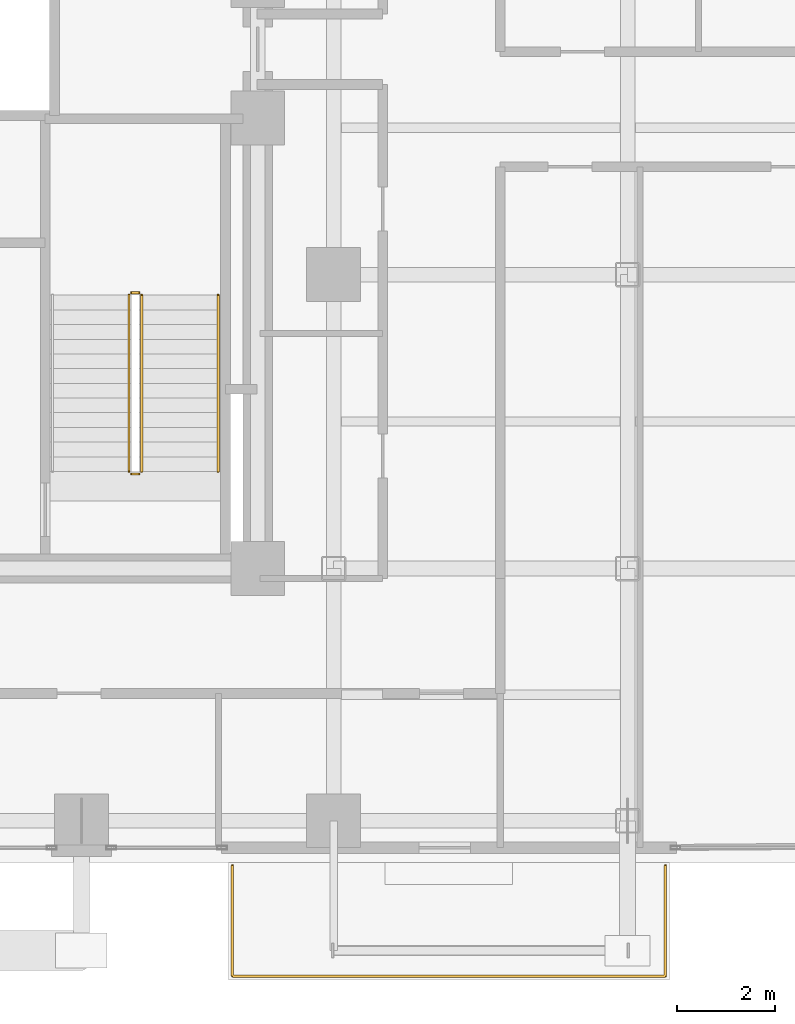
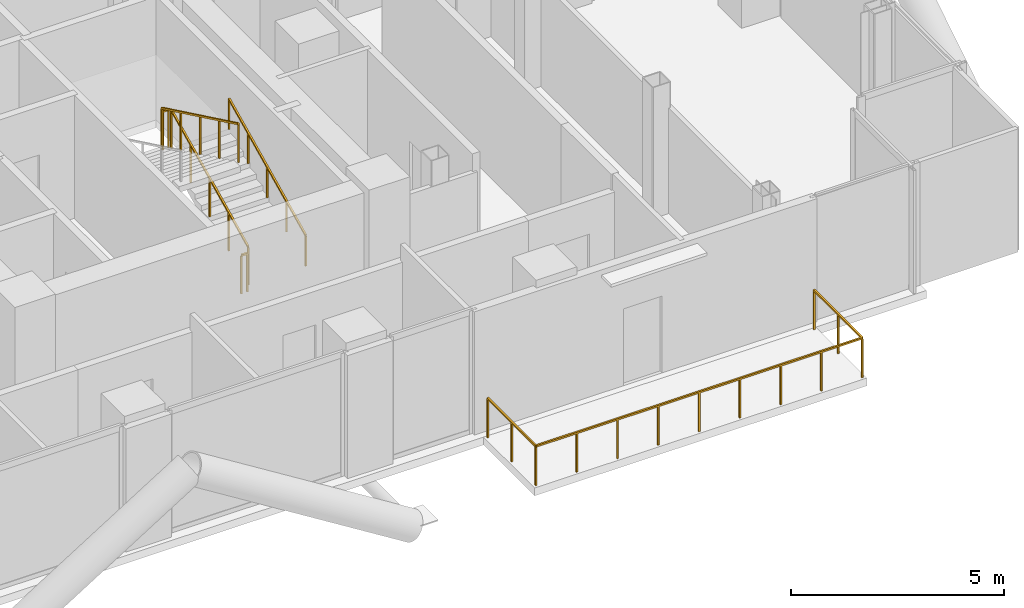
# One storey, part 27 of 28: 6 railings.
"""IFC4 building model written with IfcOpenShell, lengths in metres."""

from ifc_helpers import new_model, si_unit, direction, frame, origin, origin_2d, place, context, subcontext, project, spatial, rectangle, extrude, material, type_object, element, save


model = new_model("IFC4")

# Units and contexts
model_context = context("Model", 3, precision=1e-05, world=origin(), true_north=direction((0.0, 1.0)))
body_context = subcontext(model_context, "Body", "Model", "MODEL_VIEW")
ifc_project = project(units=[si_unit("LENGTHUNIT", "METRE"), si_unit("AREAUNIT", "SQUARE_METRE"), si_unit("VOLUMEUNIT", "CUBIC_METRE"), si_unit("PLANEANGLEUNIT", "RADIAN"), si_unit("MASSUNIT", "GRAM", prefix="KILO"), si_unit("THERMODYNAMICTEMPERATUREUNIT", "KELVIN"), si_unit("POWERUNIT", "WATT")], contexts=[model_context])

# Site, building, storey
site_placement = place(None, origin())
site = spatial("IfcSite", under=ifc_project, at=site_placement, CompositionType="ELEMENT")
building_placement = place(site_placement, origin())
building = spatial("IfcBuilding", under=site, at=building_placement, Name="Svarakhadi Broadcast Tower", CompositionType="ELEMENT")
storey_placement = place(building_placement, frame((0.0, 0.0, 149.39990234375)))
storey = spatial("IfcBuildingStorey", under=building, at=storey_placement, Name="L36", CompositionType="ELEMENT", Elevation=149.39990234375)

# Railings
ifc_material_1 = material(Name="Laminated Structural SentryGlas Balustrade 25.5 mm", Category="glass")
railing_type_1 = type_object("IfcRailingType", Name="Guard_Balcony_GR01", PredefinedType="BALUSTRADE", material=ifc_material_1)
railing_1_placement = place(storey_placement, frame((33.080078125, -0.06005859375, 0.0)))
element("IfcRailing", 1, at=railing_1_placement, inside=storey, type_object=railing_type_1, Name="L36 South Tree Balcony Guard GR-05", PredefinedType="BALUSTRADE", context=body_context, shape_type="SweptSolid", body=[
    extrude(rectangle(XDim=0.048095703125, YDim=0.048095703125, at=origin_2d()), frame((0.0, 0.0, 1.1259765625), z_axis=(0.0, -1.0, 0.0), x_axis=(1.0, 0.0, 0.0)), (0.0, 0.0, 1.0), 2.260009765625),
    extrude(rectangle(XDim=0.048095703125, YDim=0.048095703125, at=origin_2d()), frame((0.0, -2.260009765625, 1.1259765625), z_axis=(1.0, 0.0, 0.0), x_axis=(0.0, 1.0, 0.0)), (0.0, 0.0, 1.0), 8.83984375),
    extrude(rectangle(XDim=0.048095703125, YDim=0.048095703125, at=origin_2d()), frame((8.83984375, -2.260009765625, 1.1259765625), z_axis=(0.0, 1.0, 0.0), x_axis=(-1.0, 0.0, 0.0)), (0.0, 0.0, 1.0), 2.260009765625),
    extrude(rectangle(XDim=0.0419921875, YDim=0.0419921875, at=origin_2d()), origin(), (0.0, 0.0, 1.0), 1.101806640625),
    extrude(rectangle(XDim=0.0419921875, YDim=0.0419921875, at=origin_2d()), frame((0.0, -1.1298828125, 0.0)), (0.0, 0.0, 1.0), 1.101806640625),
    extrude(rectangle(XDim=0.0419921875, YDim=0.0419921875, at=origin_2d()), frame((0.0, -2.260009765625, 0.0)), (0.0, 0.0, 1.0), 1.101806640625),
    extrude(rectangle(XDim=0.0419921875, YDim=0.0419921875, at=origin_2d()), frame((1.10498046875, -2.260009765625, 0.0)), (0.0, 0.0, 1.0), 1.101806640625),
    extrude(rectangle(XDim=0.0419921875, YDim=0.0419921875, at=origin_2d()), frame((2.2099609375, -2.260009765625, 0.0)), (0.0, 0.0, 1.0), 1.101806640625),
    extrude(rectangle(XDim=0.0419921875, YDim=0.0419921875, at=origin_2d()), frame((3.31494140625, -2.260009765625, 0.0)), (0.0, 0.0, 1.0), 1.101806640625),
    extrude(rectangle(XDim=0.0419921875, YDim=0.0419921875, at=origin_2d()), frame((4.419921875, -2.260009765625, 0.0)), (0.0, 0.0, 1.0), 1.101806640625),
    extrude(rectangle(XDim=0.0419921875, YDim=0.0419921875, at=origin_2d()), frame((5.52490234375, -2.260009765625, 0.0)), (0.0, 0.0, 1.0), 1.101806640625),
    extrude(rectangle(XDim=0.0419921875, YDim=0.0419921875, at=origin_2d()), frame((6.6298828125, -2.260009765625, 0.0)), (0.0, 0.0, 1.0), 1.101806640625),
    extrude(rectangle(XDim=0.0419921875, YDim=0.0419921875, at=origin_2d()), frame((7.73486328125, -2.260009765625, 0.0)), (0.0, 0.0, 1.0), 1.101806640625),
    extrude(rectangle(XDim=0.0419921875, YDim=0.0419921875, at=origin_2d()), frame((8.83984375, -2.260009765625, 0.0)), (0.0, 0.0, 1.0), 1.101806640625),
    extrude(rectangle(XDim=0.0419921875, YDim=0.0419921875, at=origin_2d()), frame((8.83984375, -1.1298828125, 0.0)), (0.0, 0.0, 1.0), 1.101806640625),
    extrude(rectangle(XDim=0.0419921875, YDim=0.0419921875, at=origin_2d()), frame((8.83984375, 0.0, 0.0)), (0.0, 0.0, 1.0), 1.101806640625),
])
ifc_material_2 = material(Name="Anodised Bronze Aluminium AA 6063-T6", Category="aluminium")
railing_type_2 = type_object("IfcRailingType", Name="Guard_Stair_GR01", PredefinedType="GUARDRAIL", material=ifc_material_2)
railing_2_placement = place(storey_placement, frame((31.22998046875, 7.97998046875, 0.144287109375)))
element("IfcRailing", 2, at=railing_2_placement, inside=storey, type_object=railing_type_2, Name="L36 ST-02 stair guard 1", PredefinedType="GUARDRAIL", context=body_context, shape_type="SweptSolid", body=[
    extrude(rectangle(XDim=0.048095703125, YDim=0.048095703125, at=origin_2d()), frame((0.0, 0.0, 1.09619140625), z_axis=(0.0, 0.901262522062, 0.433273431364), x_axis=(-1.0, 0.0, 0.0)), (0.0, 0.0, 1.0), 3.994384765625),
    extrude(rectangle(XDim=0.0419921875, YDim=0.0419921875, at=origin_2d()), origin(), (0.0, 0.0, 1.0), 1.072021484375),
    extrude(rectangle(XDim=0.0419921875, YDim=0.0419921875, at=origin_2d()), frame((0.0, 0.89990234375, 0.4326171875)), (0.0, 0.0, 1.0), 1.072021484375),
    extrude(rectangle(XDim=0.0419921875, YDim=0.0419921875, at=origin_2d()), frame((0.0, 1.800048828125, 0.865234375)), (0.0, 0.0, 1.0), 1.072021484375),
    extrude(rectangle(XDim=0.0419921875, YDim=0.0419921875, at=origin_2d()), frame((0.0, 2.7001953125, 1.298095703125)), (0.0, 0.0, 1.0), 1.072021484375),
    extrude(rectangle(XDim=0.0419921875, YDim=0.0419921875, at=origin_2d()), frame((0.0, 3.60009765625, 1.730712890625)), (0.0, 0.0, 1.0), 1.072021484375),
])
railing_3_placement = place(storey_placement, frame((31.179931640625, 11.6298828125, 1.875)))
element("IfcRailing", 3, at=railing_3_placement, inside=storey, type_object=railing_type_2, Name="L36 ST-02 stair guard 2", PredefinedType="GUARDRAIL", context=body_context, shape_type="SweptSolid", body=[
    extrude(rectangle(XDim=0.048095703125, YDim=0.048095703125, at=origin_2d()), frame((0.0, 0.0, 1.09619140625), z_axis=(-1.0, 0.0, 0.0), x_axis=(0.0, -1.0, 0.0)), (0.0, 0.0, 1.0), 0.159912109375),
    extrude(rectangle(XDim=0.0419921875, YDim=0.0419921875, at=origin_2d()), origin(), (0.0, 0.0, 1.0), 1.072021484375),
    extrude(rectangle(XDim=0.0419921875, YDim=0.0419921875, at=origin_2d()), frame((-0.159912109375, 0.0, 0.0)), (0.0, 0.0, 1.0), 1.072021484375),
])
railing_4_placement = place(storey_placement, frame((30.969970703125, 11.580078125, 2.019287109375)))
element("IfcRailing", 4, at=railing_4_placement, inside=storey, type_object=railing_type_2, Name="L36 ST-02 stair guard 3", PredefinedType="GUARDRAIL", context=body_context, shape_type="SweptSolid", body=[
    extrude(rectangle(XDim=0.048095703125, YDim=0.048095703125, at=origin_2d()), frame((0.0, 0.0, 1.09619140625), z_axis=(0.0, -0.901262522062, 0.433273431364), x_axis=(1.0, 0.0, 0.0)), (0.0, 0.0, 1.0), 3.994384765625),
    extrude(rectangle(XDim=0.0419921875, YDim=0.0419921875, at=origin_2d()), origin(), (0.0, 0.0, 1.0), 1.072021484375),
    extrude(rectangle(XDim=0.0419921875, YDim=0.0419921875, at=origin_2d()), frame((0.0, -0.89990234375, 0.4326171875)), (0.0, 0.0, 1.0), 1.072021484375),
    extrude(rectangle(XDim=0.0419921875, YDim=0.0419921875, at=origin_2d()), frame((0.0, -1.800048828125, 0.865234375)), (0.0, 0.0, 1.0), 1.072021484375),
    extrude(rectangle(XDim=0.0419921875, YDim=0.0419921875, at=origin_2d()), frame((0.0, -2.7001953125, 1.298095703125)), (0.0, 0.0, 1.0), 1.072021484375),
    extrude(rectangle(XDim=0.0419921875, YDim=0.0419921875, at=origin_2d()), frame((0.0, -3.60009765625, 1.730712890625)), (0.0, 0.0, 1.0), 1.072021484375),
])
railing_5_placement = place(storey_placement, frame((31.179931640625, 7.929931640625, 0.0)))
element("IfcRailing", 5, at=railing_5_placement, inside=storey, type_object=railing_type_2, Name="L36 ST-02 stair guard 4", PredefinedType="GUARDRAIL", context=body_context, shape_type="SweptSolid", body=[
    extrude(rectangle(XDim=0.048095703125, YDim=0.048095703125, at=origin_2d()), frame((0.0, 0.0, 1.09619140625), z_axis=(-1.0, 0.0, 0.0), x_axis=(0.0, -1.0, 0.0)), (0.0, 0.0, 1.0), 0.159912109375),
    extrude(rectangle(XDim=0.0419921875, YDim=0.0419921875, at=origin_2d()), origin(), (0.0, 0.0, 1.0), 1.072021484375),
    extrude(rectangle(XDim=0.0419921875, YDim=0.0419921875, at=origin_2d()), frame((-0.159912109375, 0.0, 0.0)), (0.0, 0.0, 1.0), 1.072021484375),
])
railing_type_3 = type_object("IfcRailingType", Name="Handrail_Stair_HR01", PredefinedType="HANDRAIL", material=ifc_material_2)
railing_6_placement = place(storey_placement, frame((32.7900390625, 7.97998046875, 0.144287109375)))
element("IfcRailing", 6, at=railing_6_placement, inside=storey, type_object=railing_type_3, Name="L36 ST-02 stair handrail 1", PredefinedType="HANDRAIL", context=body_context, shape_type="SweptSolid", body=[
    extrude(rectangle(XDim=0.048095703125, YDim=0.048095703125, at=origin_2d()), frame((0.0, 0.0, 0.8759765625), z_axis=(0.0, 0.901262522062, 0.433273431364), x_axis=(-1.0, 0.0, 0.0)), (0.0, 0.0, 1.0), 3.994384765625),
    extrude(rectangle(XDim=0.0419921875, YDim=0.0419921875, at=origin_2d()), origin(), (0.0, 0.0, 1.0), 0.851806640625),
    extrude(rectangle(XDim=0.0419921875, YDim=0.0419921875, at=origin_2d()), frame((0.0, 0.89990234375, 0.4326171875)), (0.0, 0.0, 1.0), 0.851806640625),
    extrude(rectangle(XDim=0.0419921875, YDim=0.0419921875, at=origin_2d()), frame((0.0, 1.800048828125, 0.865234375)), (0.0, 0.0, 1.0), 0.851806640625),
    extrude(rectangle(XDim=0.0419921875, YDim=0.0419921875, at=origin_2d()), frame((0.0, 2.7001953125, 1.298095703125)), (0.0, 0.0, 1.0), 0.851806640625),
    extrude(rectangle(XDim=0.0419921875, YDim=0.0419921875, at=origin_2d()), frame((0.0, 3.60009765625, 1.730712890625)), (0.0, 0.0, 1.0), 0.851806640625),
])

save(model, "model.ifc")
